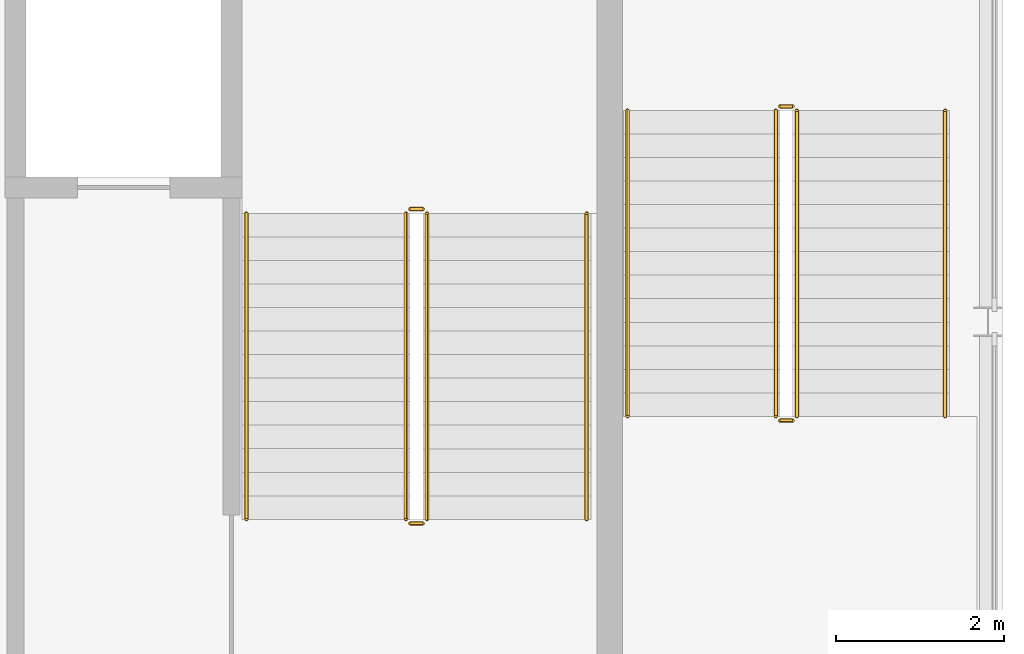
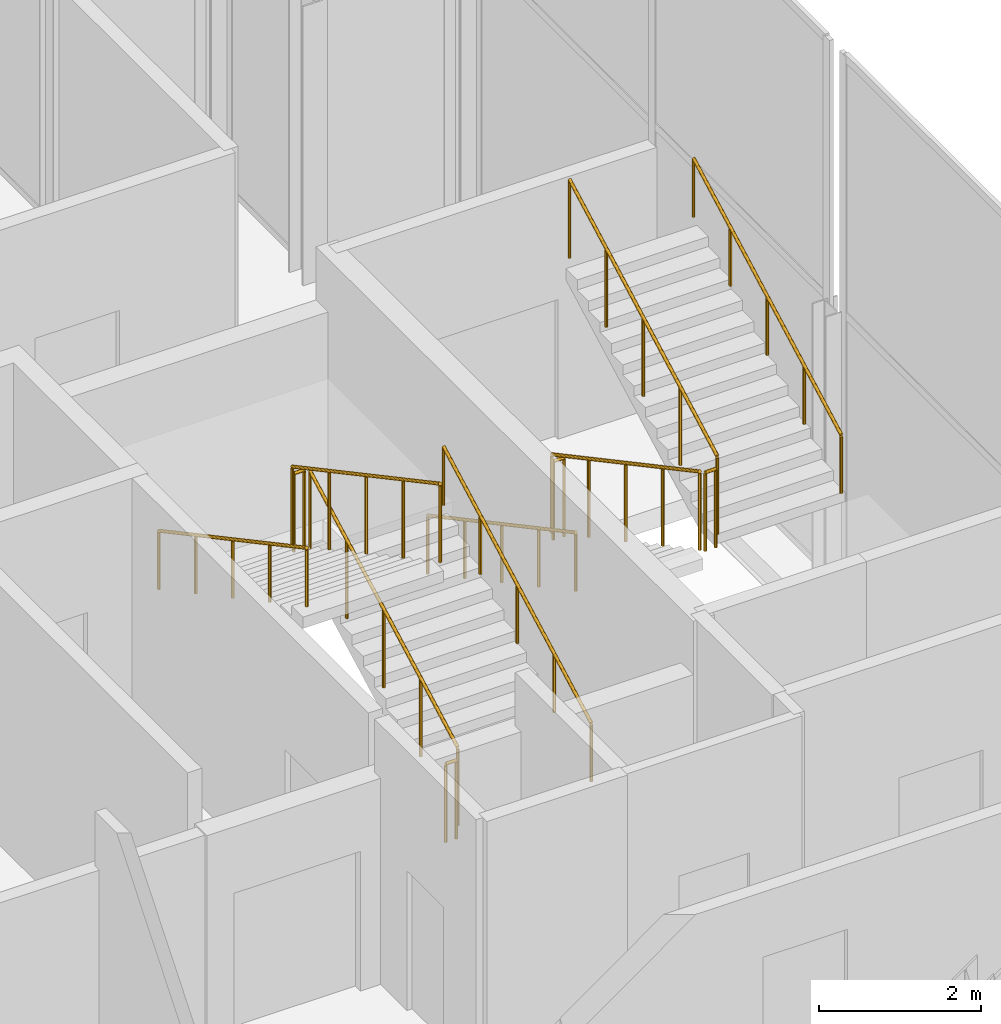
# One storey, part 8 of 8: 12 railings.
"""IFC4 building model written with IfcOpenShell, lengths in metres."""

from ifc_helpers import new_model, si_unit, direction, frame, origin, origin_2d, place, context, subcontext, project, spatial, circle, extrude, material, type_object, element, save


model = new_model("IFC4")

# Units and contexts
model_context = context("Model", 3, precision=1e-05, world=origin(), true_north=direction((0.0, 1.0)))
body_context = subcontext(model_context, "Body", "Model", "MODEL_VIEW")
ifc_project = project(units=[si_unit("LENGTHUNIT", "METRE"), si_unit("AREAUNIT", "SQUARE_METRE"), si_unit("VOLUMEUNIT", "CUBIC_METRE"), si_unit("PLANEANGLEUNIT", "RADIAN"), si_unit("MASSUNIT", "GRAM", prefix="KILO")], contexts=[model_context])

# Site, building, storey
site_placement = place(None, origin())
site = spatial("IfcSite", under=ifc_project, at=site_placement, CompositionType="ELEMENT")
building_placement = place(site_placement, origin())
building = spatial("IfcBuilding", under=site, at=building_placement, Name="Caravel Reach Hotel and Residences", CompositionType="ELEMENT")
storey_placement = place(building_placement, frame((0.0, 0.0, 325.39990234375)))
storey = spatial("IfcBuildingStorey", under=building, at=storey_placement, Name="L82", CompositionType="ELEMENT", Elevation=325.39990234375)

# Railings
ifc_material_1 = material(Name="Steel balustrade with glass infill", Category="steel")
railing_type_1 = type_object("IfcRailingType", Name="Guard 1200", PredefinedType="GUARDRAIL", material=ifc_material_1)
railing_1_placement = place(storey_placement, frame((42.824951171875, 24.64990234375, 0.150146484375)))
element("IfcRailing", 1, at=railing_1_placement, inside=storey, type_object=railing_type_1, Name="L82 ST-B stair guard 1", PredefinedType="GUARDRAIL", context=body_context, shape_type="SweptSolid", body=[
    extrude(circle(Radius=0.02392578125, at=origin_2d()), frame((0.0, 0.0, 1.17578125), z_axis=(0.0, 0.881492274372, 0.472198443689), x_axis=(-1.0, 0.0, 0.0)), (0.0, 0.0, 1.0), 4.12939453125),
    extrude(circle(Radius=0.02099609375, at=origin_2d()), origin(), (0.0, 0.0, 1.0), 1.15185546875),
    extrude(circle(Radius=0.02099609375, at=origin_2d()), frame((0.0, 0.91015625, 0.487548828125)), (0.0, 0.0, 1.0), 1.15185546875),
    extrude(circle(Radius=0.02099609375, at=origin_2d()), frame((0.0, 1.820068359375, 0.97509765625)), (0.0, 0.0, 1.0), 1.15185546875),
    extrude(circle(Radius=0.02099609375, at=origin_2d()), frame((0.0, 2.72998046875, 1.46240234375)), (0.0, 0.0, 1.0), 1.15185546875),
    extrude(circle(Radius=0.02099609375, at=origin_2d()), frame((0.0, 3.64013671875, 1.949951171875)), (0.0, 0.0, 1.0), 1.15185546875),
])
railing_2_placement = place(storey_placement, frame((42.77490234375, 28.340087890625, 2.10009765625)))
element("IfcRailing", 2, at=railing_2_placement, inside=storey, type_object=railing_type_1, Name="L82 ST-B stair guard 2", PredefinedType="GUARDRAIL", context=body_context, shape_type="SweptSolid", body=[
    extrude(circle(Radius=0.02392578125, at=origin_2d()), frame((0.0, 0.0, 1.17578125), z_axis=(-1.0, 0.0, 0.0), x_axis=(0.0, -1.0, 0.0)), (0.0, 0.0, 1.0), 0.14990234375),
    extrude(circle(Radius=0.02099609375, at=origin_2d()), origin(), (0.0, 0.0, 1.0), 1.15185546875),
    extrude(circle(Radius=0.02099609375, at=origin_2d()), frame((-0.14990234375, 0.0, 0.0)), (0.0, 0.0, 1.0), 1.15185546875),
])
railing_3_placement = place(storey_placement, frame((42.574951171875, 28.2900390625, 2.25)))
element("IfcRailing", 3, at=railing_3_placement, inside=storey, type_object=railing_type_1, Name="L82 ST-B stair guard 3", PredefinedType="GUARDRAIL", context=body_context, shape_type="SweptSolid", body=[
    extrude(circle(Radius=0.02392578125, at=origin_2d()), frame((0.0, 0.0, 1.17578125), z_axis=(0.0, -0.881467665431, 0.47224438038), x_axis=(1.0, 0.0, 0.0)), (0.0, 0.0, 1.0), 4.129638671875),
    extrude(circle(Radius=0.02099609375, at=origin_2d()), origin(), (0.0, 0.0, 1.0), 1.15185546875),
    extrude(circle(Radius=0.02099609375, at=origin_2d()), frame((0.0, -0.91015625, 0.487548828125)), (0.0, 0.0, 1.0), 1.15185546875),
    extrude(circle(Radius=0.02099609375, at=origin_2d()), frame((0.0, -1.820068359375, 0.97509765625)), (0.0, 0.0, 1.0), 1.15185546875),
    extrude(circle(Radius=0.02099609375, at=origin_2d()), frame((0.0, -2.72998046875, 1.462646484375)), (0.0, 0.0, 1.0), 1.15185546875),
    extrude(circle(Radius=0.02099609375, at=origin_2d()), frame((0.0, -3.64013671875, 1.9501953125)), (0.0, 0.0, 1.0), 1.15185546875),
])
railing_4_placement = place(storey_placement, frame((42.77490234375, 24.60009765625, 0.0)))
element("IfcRailing", 4, at=railing_4_placement, inside=storey, type_object=railing_type_1, Name="L82 ST-B stair guard 4", PredefinedType="GUARDRAIL", context=body_context, shape_type="SweptSolid", body=[
    extrude(circle(Radius=0.02392578125, at=origin_2d()), frame((0.0, 0.0, 1.17578125), z_axis=(-1.0, 0.0, 0.0), x_axis=(0.0, -1.0, 0.0)), (0.0, 0.0, 1.0), 0.14990234375),
    extrude(circle(Radius=0.02099609375, at=origin_2d()), origin(), (0.0, 0.0, 1.0), 1.15185546875),
    extrude(circle(Radius=0.02099609375, at=origin_2d()), frame((-0.14990234375, 0.0, 0.0)), (0.0, 0.0, 1.0), 1.15185546875),
])
railing_5_placement = place(storey_placement, frame((46.97509765625, 29.514892578125, 0.150146484375)))
element("IfcRailing", 5, at=railing_5_placement, inside=storey, type_object=railing_type_1, Name="L82 ST-C stair guard 1", PredefinedType="GUARDRAIL", context=body_context, shape_type="SweptSolid", body=[
    extrude(circle(Radius=0.02392578125, at=origin_2d()), frame((0.0, 0.0, 1.17578125), z_axis=(0.0, -0.881479091078, 0.472223053219), x_axis=(1.0, 0.0, 0.0)), (0.0, 0.0, 1.0), 4.12939453125),
    extrude(circle(Radius=0.02099609375, at=origin_2d()), origin(), (0.0, 0.0, 1.0), 1.15185546875),
    extrude(circle(Radius=0.02099609375, at=origin_2d()), frame((0.0, -0.909912109375, 0.487548828125)), (0.0, 0.0, 1.0), 1.15185546875),
    extrude(circle(Radius=0.02099609375, at=origin_2d()), frame((0.0, -1.81982421875, 0.97509765625)), (0.0, 0.0, 1.0), 1.15185546875),
    extrude(circle(Radius=0.02099609375, at=origin_2d()), frame((0.0, -2.72998046875, 1.46240234375)), (0.0, 0.0, 1.0), 1.15185546875),
    extrude(circle(Radius=0.02099609375, at=origin_2d()), frame((0.0, -3.639892578125, 1.949951171875)), (0.0, 0.0, 1.0), 1.15185546875),
])
railing_6_placement = place(storey_placement, frame((47.02490234375, 25.824951171875, 2.10009765625)))
element("IfcRailing", 6, at=railing_6_placement, inside=storey, type_object=railing_type_1, Name="L82 ST-C stair guard 2", PredefinedType="GUARDRAIL", context=body_context, shape_type="SweptSolid", body=[
    extrude(circle(Radius=0.02392578125, at=origin_2d()), frame((0.0, 0.0, 1.17578125), z_axis=(1.0, 0.0, 0.0), x_axis=(0.0, 1.0, 0.0)), (0.0, 0.0, 1.0), 0.150146484375),
    extrude(circle(Radius=0.02099609375, at=origin_2d()), origin(), (0.0, 0.0, 1.0), 1.15185546875),
    extrude(circle(Radius=0.02099609375, at=origin_2d()), frame((0.150146484375, 0.0, 0.0)), (0.0, 0.0, 1.0), 1.15185546875),
])
railing_7_placement = place(storey_placement, frame((47.22509765625, 25.875, 2.25)))
element("IfcRailing", 7, at=railing_7_placement, inside=storey, type_object=railing_type_1, Name="L82 ST-C stair guard 3", PredefinedType="GUARDRAIL", context=body_context, shape_type="SweptSolid", body=[
    extrude(circle(Radius=0.02392578125, at=origin_2d()), frame((0.0, 0.0, 1.17578125), z_axis=(0.0, 0.88145447994, 0.472268990929), x_axis=(-1.0, 0.0, 0.0)), (0.0, 0.0, 1.0), 4.12939453125),
    extrude(circle(Radius=0.02099609375, at=origin_2d()), origin(), (0.0, 0.0, 1.0), 1.15185546875),
    extrude(circle(Radius=0.02099609375, at=origin_2d()), frame((0.0, 0.909912109375, 0.487548828125)), (0.0, 0.0, 1.0), 1.15185546875),
    extrude(circle(Radius=0.02099609375, at=origin_2d()), frame((0.0, 1.81982421875, 0.97509765625)), (0.0, 0.0, 1.0), 1.15185546875),
    extrude(circle(Radius=0.02099609375, at=origin_2d()), frame((0.0, 2.72998046875, 1.462646484375)), (0.0, 0.0, 1.0), 1.15185546875),
    extrude(circle(Radius=0.02099609375, at=origin_2d()), frame((0.0, 3.639892578125, 1.9501953125)), (0.0, 0.0, 1.0), 1.15185546875),
])
railing_8_placement = place(storey_placement, frame((47.02490234375, 29.56494140625, 0.0)))
element("IfcRailing", 8, at=railing_8_placement, inside=storey, type_object=railing_type_1, Name="L82 ST-C stair guard 4", PredefinedType="GUARDRAIL", context=body_context, shape_type="SweptSolid", body=[
    extrude(circle(Radius=0.02392578125, at=origin_2d()), frame((0.0, 0.0, 1.17578125), z_axis=(1.0, 0.0, 0.0), x_axis=(0.0, 1.0, 0.0)), (0.0, 0.0, 1.0), 0.150146484375),
    extrude(circle(Radius=0.02099609375, at=origin_2d()), origin(), (0.0, 0.0, 1.0), 1.15185546875),
    extrude(circle(Radius=0.02099609375, at=origin_2d()), frame((0.150146484375, 0.0, 0.0)), (0.0, 0.0, 1.0), 1.15185546875),
])
ifc_material_2 = material(Name="Stainless steel handrail", Category="steel")
railing_type_2 = type_object("IfcRailingType", Name="Handrail 900", PredefinedType="HANDRAIL", material=ifc_material_2)
railing_9_placement = place(storey_placement, frame((44.72509765625, 24.64990234375, 0.150146484375)))
element("IfcRailing", 9, at=railing_9_placement, inside=storey, type_object=railing_type_2, Name="L82 ST-B stair handrail 1", PredefinedType="HANDRAIL", context=body_context, shape_type="SweptSolid", body=[
    extrude(circle(Radius=0.02392578125, at=origin_2d()), frame((0.0, 0.0, 0.8759765625), z_axis=(0.0, 0.881492274372, 0.472198443689), x_axis=(-1.0, 0.0, 0.0)), (0.0, 0.0, 1.0), 4.12939453125),
    extrude(circle(Radius=0.02099609375, at=origin_2d()), origin(), (0.0, 0.0, 1.0), 0.851806640625),
    extrude(circle(Radius=0.02099609375, at=origin_2d()), frame((0.0, 0.91015625, 0.487548828125)), (0.0, 0.0, 1.0), 0.851806640625),
    extrude(circle(Radius=0.02099609375, at=origin_2d()), frame((0.0, 1.820068359375, 0.97509765625)), (0.0, 0.0, 1.0), 0.851806640625),
    extrude(circle(Radius=0.02099609375, at=origin_2d()), frame((0.0, 2.72998046875, 1.46240234375)), (0.0, 0.0, 1.0), 0.851806640625),
    extrude(circle(Radius=0.02099609375, at=origin_2d()), frame((0.0, 3.64013671875, 1.949951171875)), (0.0, 0.0, 1.0), 0.851806640625),
])
railing_10_placement = place(storey_placement, frame((40.675048828125, 28.2900390625, 2.25)))
element("IfcRailing", 10, at=railing_10_placement, inside=storey, type_object=railing_type_2, Name="L82 ST-B stair handrail 2", PredefinedType="HANDRAIL", context=body_context, shape_type="SweptSolid", body=[
    extrude(circle(Radius=0.02392578125, at=origin_2d()), frame((0.0, 0.0, 0.8759765625), z_axis=(0.0, -0.881467665431, 0.47224438038), x_axis=(1.0, 0.0, 0.0)), (0.0, 0.0, 1.0), 4.129638671875),
    extrude(circle(Radius=0.02099609375, at=origin_2d()), origin(), (0.0, 0.0, 1.0), 0.851806640625),
    extrude(circle(Radius=0.02099609375, at=origin_2d()), frame((0.0, -0.91015625, 0.487548828125)), (0.0, 0.0, 1.0), 0.851806640625),
    extrude(circle(Radius=0.02099609375, at=origin_2d()), frame((0.0, -1.820068359375, 0.97509765625)), (0.0, 0.0, 1.0), 0.851806640625),
    extrude(circle(Radius=0.02099609375, at=origin_2d()), frame((0.0, -2.72998046875, 1.462646484375)), (0.0, 0.0, 1.0), 0.851806640625),
    extrude(circle(Radius=0.02099609375, at=origin_2d()), frame((0.0, -3.64013671875, 1.9501953125)), (0.0, 0.0, 1.0), 0.851806640625),
])
railing_11_placement = place(storey_placement, frame((45.2099609375, 29.514892578125, 0.150146484375)))
element("IfcRailing", 11, at=railing_11_placement, inside=storey, type_object=railing_type_2, Name="L82 ST-C stair handrail 1", PredefinedType="HANDRAIL", context=body_context, shape_type="SweptSolid", body=[
    extrude(circle(Radius=0.02392578125, at=origin_2d()), frame((0.0, 0.0, 0.8759765625), z_axis=(0.0, -0.881479091078, 0.472223053219), x_axis=(1.0, 0.0, 0.0)), (0.0, 0.0, 1.0), 4.12939453125),
    extrude(circle(Radius=0.02099609375, at=origin_2d()), origin(), (0.0, 0.0, 1.0), 0.851806640625),
    extrude(circle(Radius=0.02099609375, at=origin_2d()), frame((0.0, -0.909912109375, 0.487548828125)), (0.0, 0.0, 1.0), 0.851806640625),
    extrude(circle(Radius=0.02099609375, at=origin_2d()), frame((0.0, -1.81982421875, 0.97509765625)), (0.0, 0.0, 1.0), 0.851806640625),
    extrude(circle(Radius=0.02099609375, at=origin_2d()), frame((0.0, -2.72998046875, 1.46240234375)), (0.0, 0.0, 1.0), 0.851806640625),
    extrude(circle(Radius=0.02099609375, at=origin_2d()), frame((0.0, -3.639892578125, 1.949951171875)), (0.0, 0.0, 1.0), 0.851806640625),
])
railing_12_placement = place(storey_placement, frame((48.989990234375, 25.875, 2.25)))
element("IfcRailing", 12, at=railing_12_placement, inside=storey, type_object=railing_type_2, Name="L82 ST-C stair handrail 2", PredefinedType="HANDRAIL", context=body_context, shape_type="SweptSolid", body=[
    extrude(circle(Radius=0.02392578125, at=origin_2d()), frame((0.0, 0.0, 0.8759765625), z_axis=(0.0, 0.88145447994, 0.472268990929), x_axis=(-1.0, 0.0, 0.0)), (0.0, 0.0, 1.0), 4.12939453125),
    extrude(circle(Radius=0.02099609375, at=origin_2d()), origin(), (0.0, 0.0, 1.0), 0.851806640625),
    extrude(circle(Radius=0.02099609375, at=origin_2d()), frame((0.0, 0.909912109375, 0.487548828125)), (0.0, 0.0, 1.0), 0.851806640625),
    extrude(circle(Radius=0.02099609375, at=origin_2d()), frame((0.0, 1.81982421875, 0.97509765625)), (0.0, 0.0, 1.0), 0.851806640625),
    extrude(circle(Radius=0.02099609375, at=origin_2d()), frame((0.0, 2.72998046875, 1.462646484375)), (0.0, 0.0, 1.0), 0.851806640625),
    extrude(circle(Radius=0.02099609375, at=origin_2d()), frame((0.0, 3.639892578125, 1.9501953125)), (0.0, 0.0, 1.0), 0.851806640625),
])

save(model, "model.ifc")
